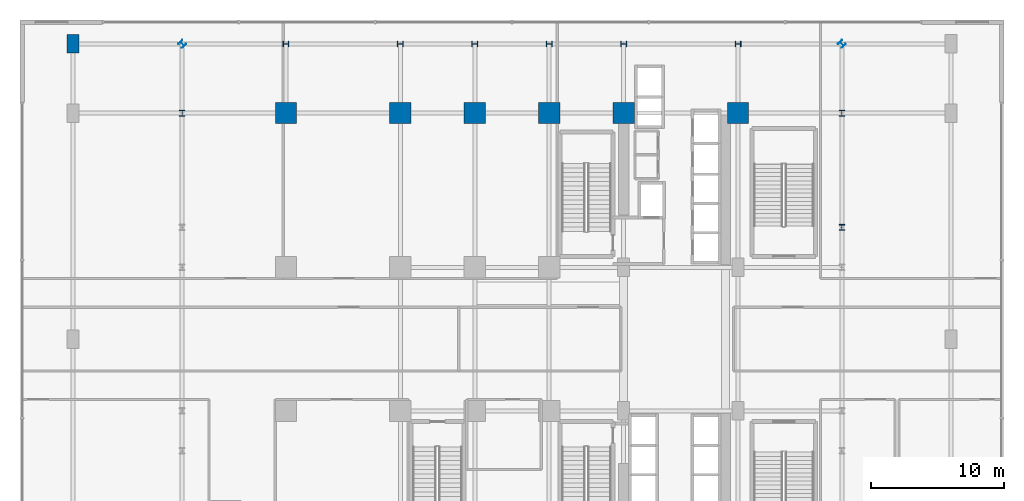
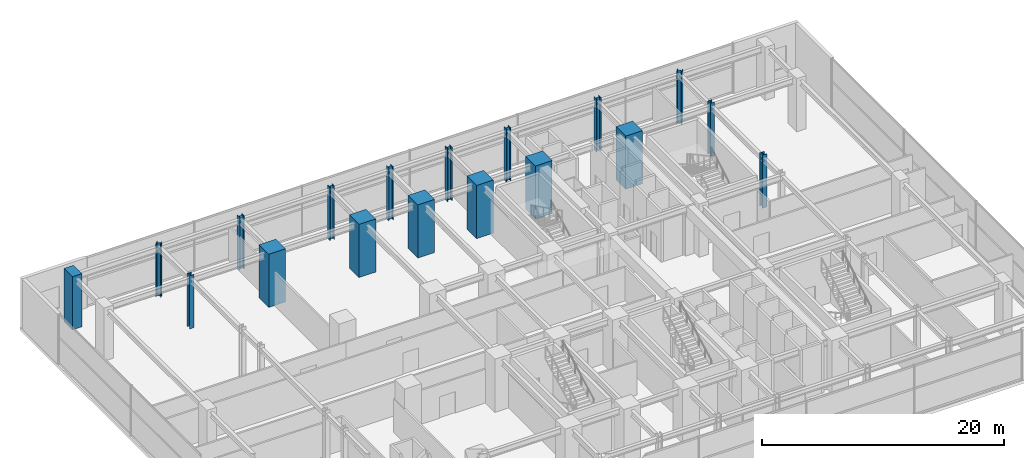
# One storey, part 2 of 32: 18 columns.
"""IFC4 building model written with IfcOpenShell, lengths in metres."""

from ifc_helpers import new_model, si_unit, direction, frame, origin, origin_2d, place, context, subcontext, project, spatial, rectangle, i_section, extrude, source, transform, mapped, material, material_profile, profile_set, type_object, element, save


model = new_model("IFC4")

# Units and contexts
model_context = context("Model", 3, precision=1e-05, world=origin(), true_north=direction((0.0, 1.0)))
body_context = subcontext(model_context, "Body", "Model", "MODEL_VIEW")
ifc_project = project(units=[si_unit("LENGTHUNIT", "METRE"), si_unit("AREAUNIT", "SQUARE_METRE"), si_unit("VOLUMEUNIT", "CUBIC_METRE"), si_unit("PLANEANGLEUNIT", "RADIAN"), si_unit("MASSUNIT", "GRAM", prefix="KILO")], contexts=[model_context])

# Site, building, storey
site_placement = place(None, origin())
site = spatial("IfcSite", under=ifc_project, at=site_placement, CompositionType="ELEMENT")
building_placement = place(site_placement, origin())
building = spatial("IfcBuilding", under=site, at=building_placement, Name="Nahalor Promenade Grand Hotel", CompositionType="ELEMENT")
storey_placement = place(building_placement, frame((0.0, 0.0, 10.800048828125)))
storey = spatial("IfcBuildingStorey", under=building, at=storey_placement, Name="L02", CompositionType="ELEMENT", Elevation=10.800048828125)

# Columns
ifc_material_1 = material(Name="Concrete B-70 (C60/75)", Category="concrete")
ifc_material_profile_1 = material_profile(ifc_material_1, rectangle(XDim=1.6, YDim=1.6, at=origin_2d()), Name="RC 1600x1600")
ifc_profile_set_1 = profile_set([ifc_material_profile_1], Name="Concrete B-70 (C60/75)")
column_type_1 = type_object("IfcColumnType", Name="Col-RC-1600", PredefinedType="COLUMN", material=ifc_profile_set_1)
shared_shape_1 = source(origin(), body_context, "Body", "SweptSolid", [
    extrude(rectangle(XDim=1.6, YDim=1.6, at=origin_2d()), origin(), (0.0, 0.0, 1.0), 5.35498046875),
])
for number, where, z_axis, x_axis, name in (
    (1, (-17.0, 17.0, 0.0), (0.0, 0.0, 1.0), (1.0, 0.0, 0.0), "COL-L02-I03"),
    (2, (-8.39990234375, 17.0, 0.0), (0.0, 0.0, 1.0), (1.0, 0.0, 0.0), "COL-L02-I13"),
    (3, (-2.800048828125, 17.0, 0.0), (0.0, 0.0, 1.0), (1.0, 0.0, 0.0), "COL-L02-I23"),
    (4, (2.800048828125, 17.0, 0.0), (0.0, 0.0, 1.0), (1.0, 0.0, 0.0), "COL-L02-I33"),
    (5, (8.39990234375, 17.0, 0.0), (0.0, 0.0, 1.0), (1.0, 0.0, 0.0), "COL-L02-I43"),
    (6, (17.0, 17.0, 0.0), (0.0, 0.0, 1.0), (1.0, 0.0, 0.0), "COL-L02-I53"),
):
    element("IfcColumn", number, at=place(storey_placement, frame(where, z_axis=z_axis, x_axis=x_axis)), inside=storey, type_object=column_type_1, Name=name, PredefinedType="COLUMN", context=body_context, shape_type="MappedRepresentation", body=[
        mapped(shared_shape_1, transform((0.0, 0.0, 0.0), scale=1.0)),
    ])
ifc_material_2 = material(Name="Concrete B-60 (C50/60)", Category="concrete")
ifc_material_profile_2 = material_profile(ifc_material_2, rectangle(XDim=0.9, YDim=1.4, at=origin_2d()), Name="RC 900x1400")
ifc_profile_set_2 = profile_set([ifc_material_profile_2], Name="Concrete B-60 (C50/60)")
column_type_2 = type_object("IfcColumnType", Name="Col-Pilaster-1400", PredefinedType="PILASTER", material=ifc_profile_set_2)
shared_shape_2 = source(origin(), body_context, "Body", "SweptSolid", [
    extrude(rectangle(XDim=0.9, YDim=1.4, at=origin_2d()), origin(), (0.0, 0.0, 1.0), 5.35498046875),
])
column_placement = place(storey_placement, frame((-33.0, 22.199951171875, 0.0), z_axis=(0.0, 0.0, 1.0), x_axis=(1.0, 0.0, 0.0)))
element("IfcColumn", 7, at=column_placement, inside=storey, type_object=column_type_2, Name="COL-L02-PC-W4", PredefinedType="PILASTER", context=body_context, shape_type="MappedRepresentation", body=[
    mapped(shared_shape_2, transform((0.0, 0.0, 0.0), scale=1.0)),
])
ifc_material_3 = material(Name="Steel S355J2", Category="steel")
ifc_material_profile_3 = material_profile(ifc_material_3, i_section(OverallWidth=0.416, OverallDepth=0.446, WebThickness=0.025, FlangeThickness=0.04, at=origin_2d()), Name="HD 400x509")
ifc_profile_set_3 = profile_set([ifc_material_profile_3], Name="Steel S355J2")
column_type_3 = type_object("IfcColumnType", Name="Col-Steel-HD509", PredefinedType="COLUMN", material=ifc_profile_set_3)
shared_shape_3 = source(origin(), body_context, "Body", "SweptSolid", [
    extrude(i_section(OverallWidth=0.416, OverallDepth=0.446, WebThickness=0.025, FlangeThickness=0.04, at=origin_2d()), origin(), (0.0, 0.0, 1.0), 5.35498046875),
])
for number, where, z_axis, x_axis, name in (
    (8, (24.800048828125, 8.39990234375, 0.0), (0.0, 0.0, 1.0), (1.0, 0.0, 0.0), "COL-L02-PW-E4"),
    (9, (-24.800048828125, 17.0, 0.0), (0.0, 0.0, 1.0), (1.0, 0.0, 0.0), "COL-L02-PW-W5"),
    (10, (24.800048828125, 17.0, 0.0), (0.0, 0.0, 1.0), (1.0, 0.0, 0.0), "COL-L02-PW-E5"),
    (11, (-17.0, 22.199951171875, 0.0), (0.0, 0.0, 1.0), (0.0, 1.0, 0.0), "COL-L02-PN-N0"),
    (12, (-8.39990234375, 22.199951171875, 0.0), (0.0, 0.0, 1.0), (0.0, 1.0, 0.0), "COL-L02-PN-N1"),
    (13, (-2.800048828125, 22.199951171875, 0.0), (0.0, 0.0, 1.0), (0.0, 1.0, 0.0), "COL-L02-PN-N2"),
    (14, (2.800048828125, 22.199951171875, 0.0), (0.0, 0.0, 1.0), (0.0, 1.0, 0.0), "COL-L02-PN-N3"),
    (15, (8.39990234375, 22.199951171875, 0.0), (0.0, 0.0, 1.0), (0.0, 1.0, 0.0), "COL-L02-PN-N4"),
    (16, (17.0, 22.199951171875, 0.0), (0.0, 0.0, 1.0), (0.0, 1.0, 0.0), "COL-L02-PN-N5"),
    (17, (-24.800048828125, 22.199951171875, 0.0), (0.0, 0.0, 1.0), (0.707106781187, 0.707106781187, 0.0), "COL-L02-CRN-NW"),
    (18, (24.800048828125, 22.199951171875, 0.0), (0.0, 0.0, 1.0), (0.707106781187, 0.707106781187, 0.0), "COL-L02-CRN-NE"),
):
    element("IfcColumn", number, at=place(storey_placement, frame(where, z_axis=z_axis, x_axis=x_axis)), inside=storey, type_object=column_type_3, Name=name, PredefinedType="COLUMN", context=body_context, shape_type="MappedRepresentation", body=[
        mapped(shared_shape_3, transform((0.0, 0.0, 0.0), scale=1.0)),
    ])

save(model, "model.ifc")
